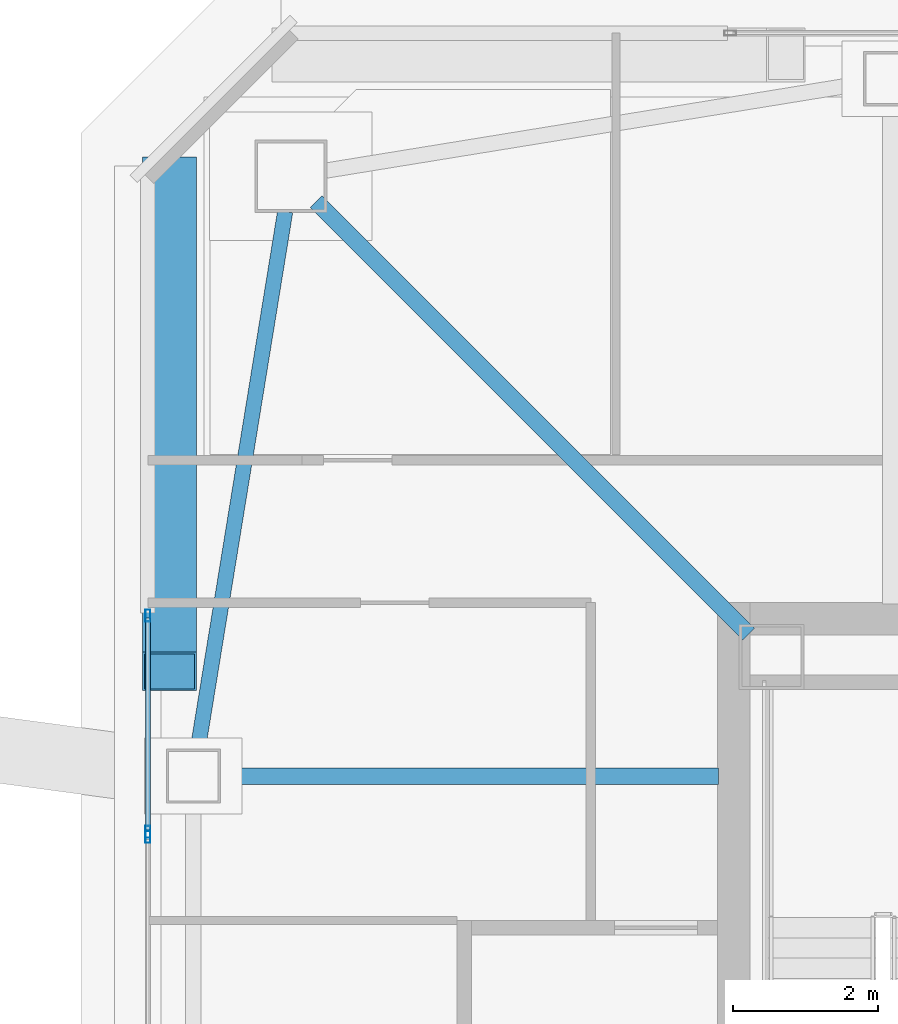
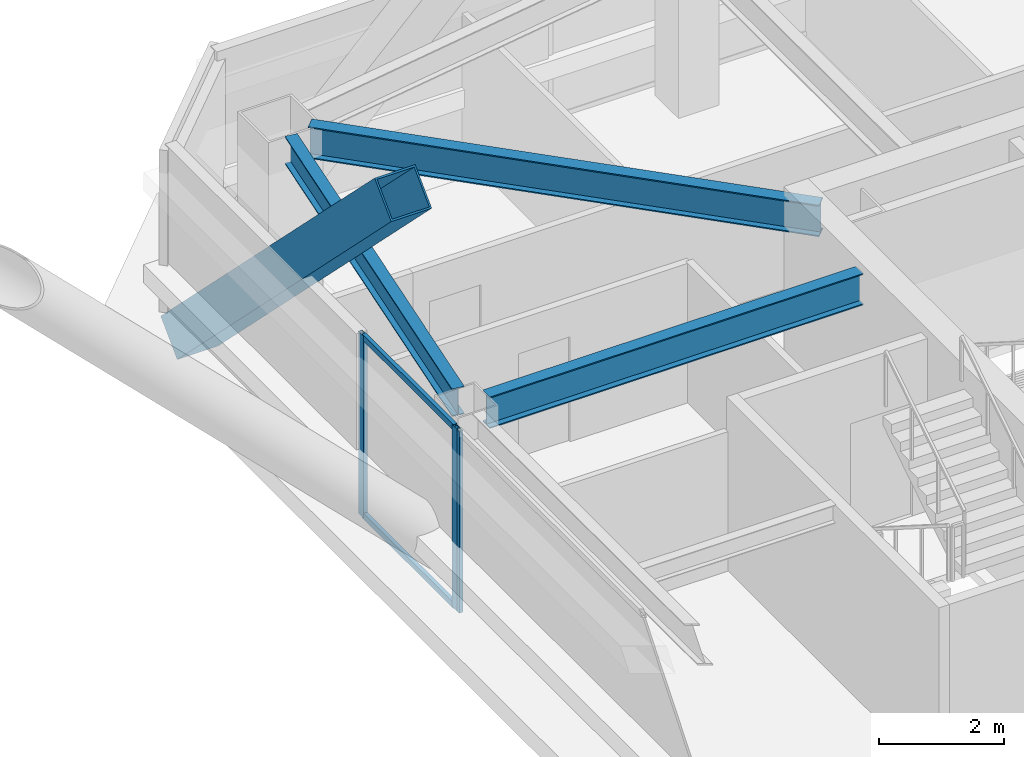
# One storey, part 8 of 39: 6 members, 3 beams, 2 elements without a shape of their own.
"""IFC4 building model written with IfcOpenShell, lengths in metres."""

import ifcopenshell
import ifcopenshell.guid

model = None  # the IFC model being written
_history = None  # IfcOwnerHistory: only IFC2X3 demands one
_inside = {}  # id of a spatial element -> (the spatial element, [elements in it])
_under = {}  # id of a project, library or spatial element -> (it, [spatial elements below it])
_declared = {}  # id of a project -> (the project, [libraries it declares])
_typed = {}  # id of a type object -> (the type object, [elements of that type])
_made_of = {}  # id of a material, layer set ... -> (it, [elements and type objects made of it])


def new_model(schema):
    """Start an empty IFC model of exactly this schema.

    Asked for "IFC4X3", IfcOpenShell would pick the latest addendum, in which some entities
    have other attributes; the version numbers below select the first issue.
    IFC2X3 requires an IfcOwnerHistory on every rooted entity: one is made here for all.
    """
    global model, _history
    if schema == "IFC4X3":
        model = ifcopenshell.file(schema_version=(4, 3, 0, 0))
    else:
        model = ifcopenshell.file(schema=schema)
    _inside.clear()
    _under.clear()
    _declared.clear()
    _typed.clear()
    _made_of.clear()
    _history = None
    if model.schema == "IFC2X3":
        org = make("IfcOrganization", Name="unknown")
        user = make(
            "IfcPersonAndOrganization",
            ThePerson=make("IfcPerson", FamilyName="unknown"),
            TheOrganization=org,
        )
        app = make(
            "IfcApplication",
            ApplicationDeveloper=org,
            Version="unknown",
            ApplicationFullName="unknown",
            ApplicationIdentifier="unknown",
        )
        _history = make(
            "IfcOwnerHistory",
            OwningUser=user,
            OwningApplication=app,
            ChangeAction="ADDED",
            CreationDate=0,
        )
    return model


def make(cls, **values):
    """One entity of the class cls with the attributes given. An attribute that is None is left unset."""
    return model.create_entity(
        cls, **{name: value for name, value in values.items() if value is not None}
    )


def rooted(cls, **values):
    """An entity with a GlobalId (a new one), such as an element, a storey or a relation."""
    return make(cls, GlobalId=ifcopenshell.guid.new(), OwnerHistory=_history, **values)


def si_unit(unit_type, name, prefix=None):
    """IfcSIUnit, for example si_unit("LENGTHUNIT", "METRE", prefix="MILLI")."""
    return make("IfcSIUnit", UnitType=unit_type, Prefix=prefix, Name=name)


def assignment(units):
    """IfcUnitAssignment: the units of a project."""
    return None if units is None else make("IfcUnitAssignment", Units=units)


def point(xyz):
    """IfcCartesianPoint."""
    return None if xyz is None else make("IfcCartesianPoint", Coordinates=xyz)


def direction(xyz):
    """IfcDirection."""
    return None if xyz is None else make("IfcDirection", DirectionRatios=xyz)


def frame(location, z_axis=None, x_axis=None):
    """IfcAxis2Placement3D, a coordinate frame: its origin and axes. An axis left out is left unset."""
    return make(
        "IfcAxis2Placement3D",
        Location=point(location),
        Axis=direction(z_axis),
        RefDirection=direction(x_axis),
    )


def frame_2d(location, x_axis=None):
    """IfcAxis2Placement2D, a coordinate frame in the plane: its origin and x axis."""
    return make(
        "IfcAxis2Placement2D", Location=point(location), RefDirection=direction(x_axis)
    )


def origin():
    """The frame at (0, 0, 0) with its axes left unset."""
    return frame((0.0, 0.0, 0.0))


def origin_2d():
    """The frame at (0, 0) in the plane with its x axis left unset."""
    return frame_2d((0.0, 0.0))


def place(relative_to, where):
    """IfcLocalPlacement: puts the frame where relative to a parent placement (None: the world)."""
    return make(
        "IfcLocalPlacement", PlacementRelTo=relative_to, RelativePlacement=where
    )


def context(
    kind, dimensions, precision=None, world=None, true_north=None, identifier=None
):
    """IfcGeometricRepresentationContext, for example the 3D "Model" context."""
    return make(
        "IfcGeometricRepresentationContext",
        ContextIdentifier=identifier,
        ContextType=kind,
        CoordinateSpaceDimension=dimensions,
        Precision=precision,
        WorldCoordinateSystem=world,
        TrueNorth=true_north,
    )


def subcontext(parent, identifier, kind, view, scale=None):
    """IfcGeometricRepresentationSubContext, for example "Body" below "Model"."""
    return make(
        "IfcGeometricRepresentationSubContext",
        ContextIdentifier=identifier,
        ContextType=kind,
        ParentContext=parent,
        TargetScale=scale,
        TargetView=view,
    )


def project(units=None, contexts=None):
    """IfcProject with its units and contexts."""
    return rooted(
        "IfcProject",
        Name="project",
        RepresentationContexts=contexts,
        UnitsInContext=assignment(units),
    )


def spatial(cls, under=None, at=None, **own):
    """A site, building, storey or space (cls), placed at a placement, below another one or the project."""
    s = rooted(cls, ObjectPlacement=at, **own)
    if under is not None:
        _under.setdefault(under.id(), (under, []))[1].append(s)
    return s


def profile(cls, at=None, kind="AREA", **sizes):
    """A parametric profile (cls). Its sizes go by their IFC names, for example OverallWidth=200.0."""
    return make(cls, ProfileType=kind, Position=at, **sizes)


def hollow_rectangle(**sizes):
    """IfcRectangleHollowProfileDef."""
    return profile("IfcRectangleHollowProfileDef", **sizes)


def i_section(**sizes):
    """IfcIShapeProfileDef."""
    return profile("IfcIShapeProfileDef", **sizes)


def extrude(swept, where, along, depth):
    """IfcExtrudedAreaSolid: the profile swept, set in the frame where, extruded along a direction by depth."""
    return make(
        "IfcExtrudedAreaSolid",
        SweptArea=swept,
        Position=where,
        ExtrudedDirection=direction(along),
        Depth=depth,
    )


def shape(context_of_items, identifier, shape_type, items):
    """IfcShapeRepresentation: the items that make up one representation, for example the "Body"."""
    return make(
        "IfcShapeRepresentation",
        ContextOfItems=context_of_items,
        RepresentationIdentifier=identifier,
        RepresentationType=shape_type,
        Items=items,
    )


def material(Name=None, Category=None):
    """IfcMaterial."""
    return make("IfcMaterial", Name=Name, Category=Category)


def material_profile(
    of_material, cross_section, Name=None, Category=None, Priority=None
):
    """IfcMaterialProfile: a cross section and its material."""
    return make(
        "IfcMaterialProfile",
        Name=Name,
        Material=of_material,
        Profile=cross_section,
        Priority=Priority,
        Category=Category,
    )


def profile_set(profiles, Name=None, composite=None):
    """IfcMaterialProfileSet."""
    return make(
        "IfcMaterialProfileSet",
        Name=Name,
        MaterialProfiles=profiles,
        CompositeProfile=composite,
    )


def made_of(thing, what):
    """Note that an element or type object is made of a material, layer set ...; save() writes the relation."""
    if what is not None:
        _made_of.setdefault(what.id(), (what, []))[1].append(thing)
    return thing


def type_object(cls, material=None, **own):
    """A type object (cls), such as IfcWallType, which elements share."""
    return made_of(rooted(cls, **own), material)


def element(
    cls,
    number,
    at=None,
    inside=None,
    cuts=None,
    type_object=None,
    material=None,
    context=None,
    identifier="Body",
    shape_type=None,
    held_by="IfcProductDefinitionShape",
    body=None,
    shapes=None,
    **own,
):
    """One element of the class cls, such as IfcWall. Its Tag is "e" and its number.

    at: its placement. inside: the storey or other place that contains it. cuts: it is an
    opening in that element (IfcRelVoidsElement). A single representation is given by context,
    identifier, shape_type and body (its items); several are given by shapes. held_by: the class
    of the entity that holds the representations. save() writes the other relations.
    """
    e = rooted(cls, Tag="e%d" % number, ObjectPlacement=at, **own)
    if body is not None:
        shapes = [shape(context, identifier, shape_type, body)]
    if shapes is not None:
        e.Representation = make(held_by, Representations=shapes)
    if inside is not None:
        _inside.setdefault(inside.id(), (inside, []))[1].append(e)
    if cuts is not None:
        rooted(
            "IfcRelVoidsElement", RelatingBuildingElement=cuts, RelatedOpeningElement=e
        )
    if type_object is not None:
        _typed.setdefault(type_object.id(), (type_object, []))[1].append(e)
    return made_of(e, material)


def aggregate(whole, parts):
    """IfcRelAggregates: a whole, such as a stair, and the parts it consists of."""
    return rooted("IfcRelAggregates", RelatingObject=whole, RelatedObjects=parts)


def save(model, path):
    """Write the relations noted so far, then the file.

    IfcRelAggregates (storeys below a building ...), IfcRelContainedInSpatialStructure (elements
    in a storey), IfcRelDefinesByType, IfcRelAssociatesMaterial and IfcRelDeclares: one each for
    every whole, place, type object, material and project.
    """
    for whole, parts in _under.values():
        aggregate(whole, parts)
    for where, things in _inside.values():
        rooted(
            "IfcRelContainedInSpatialStructure",
            RelatedElements=things,
            RelatingStructure=where,
        )
    for kind, things in _typed.values():
        rooted("IfcRelDefinesByType", RelatedObjects=things, RelatingType=kind)
    for what, things in _made_of.values():
        rooted("IfcRelAssociatesMaterial", RelatedObjects=things, RelatingMaterial=what)
    for by, libraries in _declared.values():
        rooted("IfcRelDeclares", RelatingContext=by, RelatedDefinitions=libraries)
    model.write(path)


model = new_model("IFC4")

# Units and contexts
model_context = context("Model", 3, precision=1e-05, world=origin(), true_north=direction((0.0, 1.0)))
body_context = subcontext(model_context, "Body", "Model", "MODEL_VIEW")
ifc_project = project(units=[si_unit("LENGTHUNIT", "METRE"), si_unit("AREAUNIT", "SQUARE_METRE"), si_unit("VOLUMEUNIT", "CUBIC_METRE"), si_unit("PLANEANGLEUNIT", "RADIAN"), si_unit("MASSUNIT", "GRAM", prefix="KILO")], contexts=[model_context])

# Site, building, storey
site_placement = place(None, origin())
site = spatial("IfcSite", under=ifc_project, at=site_placement, CompositionType="ELEMENT")
building_placement = place(site_placement, origin())
building = spatial("IfcBuilding", under=site, at=building_placement, Name="Tashvorn Skyway Center", CompositionType="ELEMENT")
storey_placement = place(building_placement, frame((0.0, 0.0, 232.60009765625)))
storey = spatial("IfcBuildingStorey", under=building, at=storey_placement, Name="L63", CompositionType="ELEMENT", Elevation=232.60009765625)

# Beams
ifc_material_1 = material(Name="Steel ASTM A992 Grade 50", Category="steel")
ifc_material_profile_1 = material_profile(ifc_material_1, i_section(OverallWidth=0.22998046875, OverallDepth=0.616943359375, WebThickness=0.01318359375, FlangeThickness=0.022216796875, at=origin_2d()), Name="W24X94")
ifc_profile_set_1 = profile_set([ifc_material_profile_1], Name="Steel ASTM A992 Grade 50")
beam_type_1 = type_object("IfcBeamType", Name="BM-BEAM-W24X94", PredefinedType="BEAM", material=ifc_profile_set_1)
beam_1_placement = place(storey_placement, frame((28.64990234375, 45.35009765625, 3.0615234375), z_axis=(0.707106781187, -0.707106781187, 0.0), x_axis=(0.707106781187, 0.707106781187, 0.0)))
element("IfcBeam", 1, at=beam_1_placement, inside=storey, type_object=beam_type_1, Name="Tower 1 L63 Primary Floor Girder MC-NW", PredefinedType="BEAM", context=body_context, shape_type="SweptSolid", body=[
    extrude(i_section(OverallWidth=0.22998046875, OverallDepth=0.616943359375, WebThickness=0.01318359375, FlangeThickness=0.022216796875, at=origin_2d()), origin(), (0.0, 0.0, 1.0), 8.464599609375),
])
beam_2_placement = place(storey_placement, frame((27.320068359375, 37.39990234375, 3.0615234375), z_axis=(1.0, 0.0, 0.0), x_axis=(0.0, 1.0, 0.0)))
element("IfcBeam", 2, at=beam_2_placement, inside=storey, type_object=beam_type_1, Name="Tower 1 L63 Primary Floor Girder FC-W1", PredefinedType="BEAM", context=body_context, shape_type="SweptSolid", body=[
    extrude(i_section(OverallWidth=0.22998046875, OverallDepth=0.616943359375, WebThickness=0.01318359375, FlangeThickness=0.022216796875, at=origin_2d()), origin(), (0.0, 0.0, 1.0), 6.89990234375),
])
ifc_material_profile_2 = material_profile(ifc_material_1, i_section(OverallWidth=0.2109375, OverallDepth=0.5390625, WebThickness=0.01171875, FlangeThickness=0.018798828125, at=origin_2d()), Name="W21X73")
ifc_profile_set_2 = profile_set([ifc_material_profile_2], Name="Steel ASTM A992 Grade 50")
beam_type_2 = type_object("IfcBeamType", Name="BM-SPANDREL-W21X73", PredefinedType="SPANDREL", material=ifc_profile_set_2)
beam_3_placement = place(storey_placement, frame((28.220458984375, 45.21142578125, 3.100341796875), z_axis=(-0.160514302677, -0.987033514444, 0.0), x_axis=(0.987033514444, -0.160514302677, 0.0)))
element("IfcBeam", 3, at=beam_3_placement, inside=storey, type_object=beam_type_2, Name="Tower 1 L63 Spandrel Beam 10", PredefinedType="SPANDREL", context=body_context, shape_type="SweptSolid", body=[
    extrude(i_section(OverallWidth=0.2109375, OverallDepth=0.5390625, WebThickness=0.01171875, FlangeThickness=0.018798828125, at=origin_2d()), origin(), (0.0, 0.0, 1.0), 7.544189453125),
])

# Curtain wall, member
ifc_material_2 = material(Name="Thermally broken bronze-anodized aluminium 6063-T6", Category="aluminium")
curtain_wall_type = type_object("IfcCurtainWallType", Name="CW-CW-Z5", PredefinedType="NOTDEFINED", material=ifc_material_2)
curtain_wall_1_placement = place(storey_placement, origin())
curtain_wall_1 = element("IfcCurtainWall", 4, at=curtain_wall_1_placement, inside=storey, type_object=curtain_wall_type, Name="Tower 1 L63 West Unitised Curtain Wall Glazing Group 2", PredefinedType="NOTDEFINED")
ifc_material_profile_3 = material_profile(ifc_material_2, hollow_rectangle(XDim=0.070068359375, YDim=0.1650390625, WallThickness=0.00390625, at=origin_2d()), Name="ALU-MULL-70x165")
ifc_profile_set_3 = profile_set([ifc_material_profile_3], Name="Thermally broken bronze-anodized aluminium 6063-T6")
member_type_1 = type_object("IfcMemberType", Name="CWM-CW-Z5", PredefinedType="MULLION", material=ifc_profile_set_3)
member_1_placement = place(storey_placement, frame((26.320068359375, 36.558349609375, 0.0), z_axis=(0.0, 0.0, 1.0), x_axis=(-1.0, 0.0, 0.0)))
member_1 = element("IfcMember", 5, at=member_1_placement, type_object=member_type_1, Name="CW-Z5 mullion 2", PredefinedType="MULLION", context=body_context, shape_type="SweptSolid", body=[
    extrude(hollow_rectangle(XDim=0.070068359375, YDim=0.1650390625, WallThickness=0.00390625, at=origin_2d()), origin(), (0.0, 0.0, 1.0), 3.5498046875),
])
aggregate(curtain_wall_1, [member_1])

# Curtain wall, members
curtain_wall_2_placement = place(storey_placement, origin())
curtain_wall_2 = element("IfcCurtainWall", 6, at=curtain_wall_2_placement, inside=storey, type_object=curtain_wall_type, Name="Tower 1 L63 West Unitised Curtain Wall Glazing Group 3", PredefinedType="NOTDEFINED")
member_2_placement = place(storey_placement, frame((26.320068359375, 36.62841796875, 0.0), z_axis=(0.0, 0.0, 1.0), x_axis=(-1.0, 0.0, 0.0)))
member_2 = element("IfcMember", 7, at=member_2_placement, type_object=member_type_1, Name="CW-Z5 mullion 1", PredefinedType="MULLION", context=body_context, shape_type="SweptSolid", body=[
    extrude(hollow_rectangle(XDim=0.070068359375, YDim=0.1650390625, WallThickness=0.00390625, at=origin_2d()), origin(), (0.0, 0.0, 1.0), 3.5498046875),
])
member_3_placement = place(storey_placement, frame((26.320068359375, 39.62060546875, 0.0), z_axis=(0.0, 0.0, 1.0), x_axis=(-1.0, 0.0, 0.0)))
member_3 = element("IfcMember", 8, at=member_3_placement, type_object=member_type_1, Name="CW-Z5 mullion 2", PredefinedType="MULLION", context=body_context, shape_type="SweptSolid", body=[
    extrude(hollow_rectangle(XDim=0.070068359375, YDim=0.1650390625, WallThickness=0.00390625, at=origin_2d()), origin(), (0.0, 0.0, 1.0), 3.5498046875),
])
ifc_material_profile_4 = material_profile(ifc_material_2, hollow_rectangle(XDim=0.070068359375, YDim=0.114990234375, WallThickness=0.00390625, at=origin_2d()), Name="ALU-TRAN-70x115")
ifc_profile_set_4 = profile_set([ifc_material_profile_4], Name="Thermally broken bronze-anodized aluminium 6063-T6")
member_type_2 = type_object("IfcMemberType", Name="CWT-CW-Z5", PredefinedType="USERDEFINED", material=ifc_profile_set_4)
member_4_placement = place(storey_placement, frame((26.320068359375, 36.663330078125, 0.034912109375), z_axis=(0.0, 1.0, 0.0), x_axis=(-1.0, 0.0, 0.0)))
member_4 = element("IfcMember", 9, at=member_4_placement, type_object=member_type_2, Name="CW-Z5 transom 1.1", ObjectType="TRANSOM", PredefinedType="USERDEFINED", context=body_context, shape_type="SweptSolid", body=[
    extrude(hollow_rectangle(XDim=0.070068359375, YDim=0.114990234375, WallThickness=0.00390625, at=origin_2d()), origin(), (0.0, 0.0, 1.0), 2.92236328125),
])
member_5_placement = place(storey_placement, frame((26.320068359375, 36.663330078125, 3.514892578125), z_axis=(0.0, 1.0, 0.0), x_axis=(-1.0, 0.0, 0.0)))
member_5 = element("IfcMember", 10, at=member_5_placement, type_object=member_type_2, Name="CW-Z5 transom 1.2", ObjectType="TRANSOM", PredefinedType="USERDEFINED", context=body_context, shape_type="SweptSolid", body=[
    extrude(hollow_rectangle(XDim=0.070068359375, YDim=0.114990234375, WallThickness=0.00390625, at=origin_2d()), origin(), (0.0, 0.0, 1.0), 2.92236328125),
])
aggregate(curtain_wall_2, [member_2, member_3, member_4, member_5])

# Member
ifc_material_3 = material(Name="Steel ASTM A572 Grade 50", Category="steel")
ifc_material_profile_5 = material_profile(ifc_material_3, hollow_rectangle(XDim=0.75, YDim=0.75, WallThickness=0.031982421875, at=origin_2d()), Name="BOX750x750x32")
ifc_profile_set_5 = profile_set([ifc_material_profile_5], Name="Steel ASTM A572 Grade 50")
member_type_3 = type_object("IfcMemberType", Name="MEM-MB-750", PredefinedType="BRACE", material=ifc_profile_set_5)
member_6_placement = place(storey_placement, frame((26.6201171875, 45.699951171875, -0.2001953125), z_axis=(0.0, -0.707094180045, 0.707119382104), x_axis=(1.0, 0.0, 0.0)))
element("IfcMember", 11, at=member_6_placement, inside=storey, type_object=member_type_3, Name="Tower 1 Zone 6 W Chevron Mega-Brace L1", PredefinedType="BRACE", context=body_context, shape_type="SweptSolid", body=[
    extrude(hollow_rectangle(XDim=0.75, YDim=0.75, WallThickness=0.031982421875, at=origin_2d()), origin(), (0.0, 0.0, 1.0), 9.687255859375),
])

save(model, "model.ifc")
